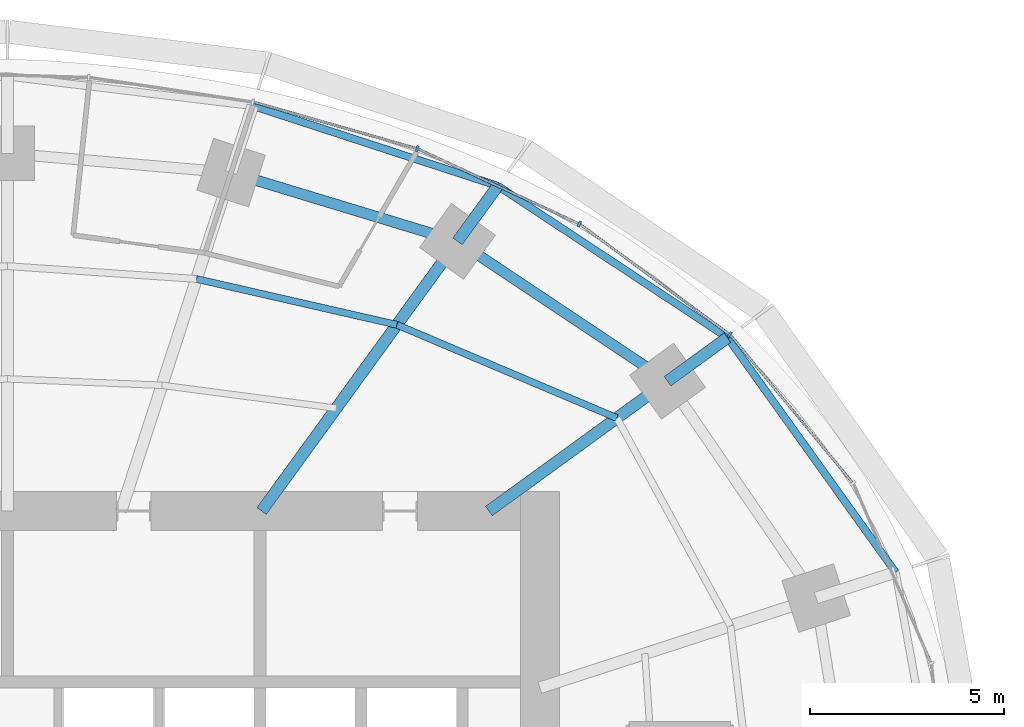
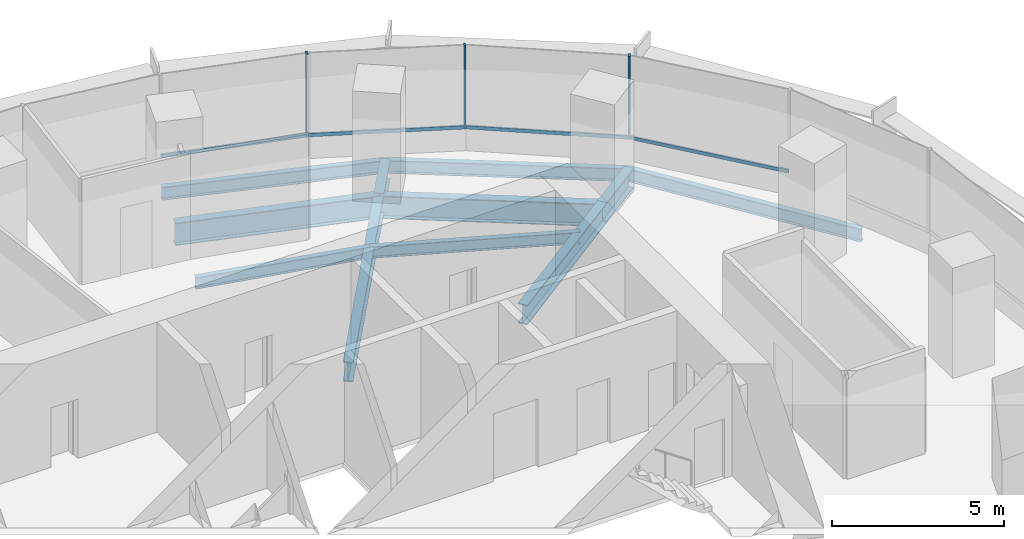
# One storey, part 8 of 15: 11 beams, 7 members, 2 elements without a shape of their own.
"""IFC4 building model written with IfcOpenShell, lengths in metres."""

from ifc_helpers import new_model, si_unit, direction, frame, origin, origin_2d, place, context, subcontext, project, spatial, rectangle, i_section, extrude, material, material_profile, profile_set, type_object, element, aggregate, save


model = new_model("IFC4")

# Units and contexts
model_context = context("Model", 3, precision=1e-05, world=origin(), true_north=direction((0.0, 1.0)))
body_context = subcontext(model_context, "Body", "Model", "MODEL_VIEW")
ifc_project = project(units=[si_unit("LENGTHUNIT", "METRE"), si_unit("AREAUNIT", "SQUARE_METRE"), si_unit("VOLUMEUNIT", "CUBIC_METRE"), si_unit("PLANEANGLEUNIT", "RADIAN"), si_unit("MASSUNIT", "GRAM", prefix="KILO")], contexts=[model_context])

# Site, building, storey
site_placement = place(None, origin())
site = spatial("IfcSite", under=ifc_project, at=site_placement, CompositionType="ELEMENT")
building_placement = place(site_placement, origin())
building = spatial("IfcBuilding", under=site, at=building_placement, Name="Marramba Exchange Tower", CompositionType="ELEMENT")
storey_placement = place(building_placement, frame((0.0, 0.0, 191.60009765625)))
storey = spatial("IfcBuildingStorey", under=building, at=storey_placement, Name="L46", CompositionType="ELEMENT", Elevation=191.60009765625)

# Beams
ifc_material_1 = material(Name="Steel AS/NZS 3679.2 grade 300", Category="steel")
ifc_material_profile_1 = material_profile(ifc_material_1, i_section(OverallWidth=0.300048828125, OverallDepth=0.699951171875, WebThickness=0.010009765625, FlangeThickness=0.031982421875, at=origin_2d()), Name="700WB173")
ifc_profile_set_1 = profile_set([ifc_material_profile_1], Name="Steel AS/NZS 3679.2 grade 300")
beam_type_1 = type_object("IfcBeamType", Name="Cantilever girder 700WB173", PredefinedType="BEAM", material=ifc_profile_set_1)
beam_1_placement = place(storey_placement, frame((16.98583984375, 12.3408203125, -0.510009765625), z_axis=(0.808962750283, 0.587859905636, 0.0), x_axis=(-0.587859905636, 0.808962750283, 0.0)))
element("IfcBeam", 1, at=beam_1_placement, inside=storey, type_object=beam_type_1, Name="Cantilever girder L46 TC03", PredefinedType="BEAM", context=body_context, shape_type="SweptSolid", body=[
    extrude(i_section(OverallWidth=0.300048828125, OverallDepth=0.699951171875, WebThickness=0.010009765625, FlangeThickness=0.031982421875, at=origin_2d()), origin(), (0.0, 0.0, 1.0), 1.9091796875),
])
beam_2_placement = place(storey_placement, frame((11.581298828125, 15.9404296875, -0.510009765625), z_axis=(0.587817766387, 0.808993370504, 0.0), x_axis=(-0.808993370504, 0.587817766387, 0.0)))
element("IfcBeam", 2, at=beam_2_placement, inside=storey, type_object=beam_type_1, Name="Cantilever girder L46 TC04", PredefinedType="BEAM", context=body_context, shape_type="SweptSolid", body=[
    extrude(i_section(OverallWidth=0.300048828125, OverallDepth=0.699951171875, WebThickness=0.010009765625, FlangeThickness=0.031982421875, at=origin_2d()), origin(), (0.0, 0.0, 1.0), 1.763916015625),
])
ifc_material_2 = material(Name="Steel AS/NZS 3679.1 grade 300", Category="steel")
ifc_material_profile_2 = material_profile(ifc_material_2, i_section(OverallWidth=0.177978515625, OverallDepth=0.406005859375, WebThickness=0.0078125, FlangeThickness=0.0126953125, FilletRadius=0.011474609375, at=origin_2d()), Name="410UB59.7")
ifc_profile_set_2 = profile_set([ifc_material_profile_2], Name="Steel AS/NZS 3679.1 grade 300")
beam_type_2 = type_object("IfcBeamType", Name="Floor joist 410UB59.7", PredefinedType="JOIST", material=ifc_profile_set_2)
beam_3_placement = place(storey_placement, frame((15.682373046875, 11.393798828125, -0.363037109375), z_axis=(-0.920674336375, 0.390331610738, 0.0), x_axis=(-0.390331610738, -0.920674336375, 0.0)))
element("IfcBeam", 3, at=beam_3_placement, inside=storey, type_object=beam_type_2, Name="Joist L46 bay 03 row 2", PredefinedType="JOIST", context=body_context, shape_type="SweptSolid", body=[
    extrude(i_section(OverallWidth=0.177978515625, OverallDepth=0.406005859375, WebThickness=0.0078125, FlangeThickness=0.0126953125, FilletRadius=0.011474609375, at=origin_2d()), origin(), (0.0, 0.0, 1.0), 6.1484375),
])
beam_4_placement = place(storey_placement, frame((10.021728515625, 13.793701171875, -0.363037109375), z_axis=(-0.974859652292, 0.222819788916, 0.0), x_axis=(-0.222819788916, -0.974859652292, 0.0)))
element("IfcBeam", 4, at=beam_4_placement, inside=storey, type_object=beam_type_2, Name="Joist L46 bay 04 row 2", PredefinedType="JOIST", context=body_context, shape_type="SweptSolid", body=[
    extrude(i_section(OverallWidth=0.177978515625, OverallDepth=0.406005859375, WebThickness=0.0078125, FlangeThickness=0.0126953125, FilletRadius=0.011474609375, at=origin_2d()), origin(), (0.0, 0.0, 1.0), 5.2900390625),
])

# Curtain wall, members
ifc_material_3 = material(Name="Aluminium framing, bronze anodised", Category="aluminium")
curtain_wall_type = type_object("IfcCurtainWallType", Name="Office ribbon curtain wall", PredefinedType="USERDEFINED", material=ifc_material_3)
curtain_wall_1_placement = place(storey_placement, origin())
curtain_wall_1 = element("IfcCurtainWall", 5, at=curtain_wall_1_placement, inside=storey, type_object=curtain_wall_type, Name="Curtain wall CW4 L46 F01-F05", ObjectType="RIBBON CURTAIN WALL", PredefinedType="USERDEFINED")
ifc_material_4 = material(Name="Aluminium mullion, bronze anodised", Category="aluminium")
ifc_material_profile_3 = material_profile(ifc_material_4, rectangle(XDim=0.159912109375, YDim=0.06005859375, at=origin_2d()), Name="CW4 mullion 60x160")
ifc_profile_set_3 = profile_set([ifc_material_profile_3], Name="Aluminium mullion, bronze anodised")
member_type_1 = type_object("IfcMemberType", Name="Office ribbon curtain wall mullion", PredefinedType="MULLION", material=ifc_profile_set_3)
member_1_placement = place(storey_placement, frame((18.587158203125, 13.53955078125, 0.7998046875), z_axis=(0.0, 0.0, 1.0), x_axis=(-0.593441317494, -0.804877259395, 0.0)))
member_1 = element("IfcMember", 6, at=member_1_placement, type_object=member_type_1, Name="CW4 mullion 1", PredefinedType="MULLION", context=body_context, shape_type="SweptSolid", body=[
    extrude(rectangle(XDim=0.159912109375, YDim=0.06005859375, at=origin_2d()), origin(), (0.0, 0.0, 1.0), 2.940185546875),
])
member_2_placement = place(storey_placement, frame((14.7158203125, 16.386474609375, 0.7998046875), z_axis=(0.0, 0.0, 1.0), x_axis=(-0.422133006189, -0.906533907301, 0.0)))
member_2 = element("IfcMember", 7, at=member_2_placement, type_object=member_type_1, Name="CW4 mullion 1", PredefinedType="MULLION", context=body_context, shape_type="SweptSolid", body=[
    extrude(rectangle(XDim=0.159912109375, YDim=0.06005859375, at=origin_2d()), origin(), (0.0, 0.0, 1.0), 2.940185546875),
])

# Curtain wall, member
curtain_wall_2_placement = place(storey_placement, origin())
curtain_wall_2 = element("IfcCurtainWall", 8, at=curtain_wall_2_placement, inside=storey, type_object=curtain_wall_type, Name="Curtain wall CW4 L46 F06-F10", ObjectType="RIBBON CURTAIN WALL", PredefinedType="USERDEFINED")
member_3_placement = place(storey_placement, frame((10.54541015625, 18.3232421875, 0.7998046875), z_axis=(0.0, 0.0, 1.0), x_axis=(-0.274248164656, -0.961658954195, 0.0)))
member_3 = element("IfcMember", 9, at=member_3_placement, type_object=member_type_1, Name="CW4 mullion 1", PredefinedType="MULLION", context=body_context, shape_type="SweptSolid", body=[
    extrude(rectangle(XDim=0.159912109375, YDim=0.06005859375, at=origin_2d()), origin(), (0.0, 0.0, 1.0), 2.940185546875),
])

# Member
ifc_material_5 = material(Name="Aluminium transom, bronze anodised", Category="aluminium")
ifc_material_profile_4 = material_profile(ifc_material_5, rectangle(XDim=0.06005859375, YDim=0.1201171875, at=origin_2d()), Name="CW4 transom 60x120")
ifc_profile_set_4 = profile_set([ifc_material_profile_4], Name="Aluminium transom, bronze anodised")
member_type_2 = type_object("IfcMemberType", Name="Office ribbon curtain wall transom", PredefinedType="USERDEFINED", material=ifc_profile_set_4)
member_4_placement = place(storey_placement, frame((21.73779296875, 9.74169921875, 0.829833984375), z_axis=(-0.637375191043, 0.770553609973, 0.0), x_axis=(-0.770553609973, -0.637375191043, 0.0)))
member_4 = element("IfcMember", 10, at=member_4_placement, type_object=member_type_2, Name="CW4 sill transom", ObjectType="TRANSOM", PredefinedType="USERDEFINED", context=body_context, shape_type="SweptSolid", body=[
    extrude(rectangle(XDim=0.06005859375, YDim=0.1201171875, at=origin_2d()), origin(), (0.0, 0.0, 1.0), 4.905517578125),
])

member_5_placement = place(storey_placement, frame((18.56298828125, 13.557373046875, 0.829833984375), z_axis=(-0.804874780157, 0.593444680039, 0.0), x_axis=(-0.593444680039, -0.804874780157, 0.0)))
member_5 = element("IfcMember", 11, at=member_5_placement, type_object=member_type_2, Name="CW4 sill transom", ObjectType="TRANSOM", PredefinedType="USERDEFINED", context=body_context, shape_type="SweptSolid", body=[
    extrude(rectangle(XDim=0.06005859375, YDim=0.1201171875, at=origin_2d()), origin(), (0.0, 0.0, 1.0), 4.745849609375),
])

member_6_placement = place(storey_placement, frame((14.688720703125, 16.399169921875, 0.829833984375), z_axis=(-0.906548348139, 0.422101992989, 0.0), x_axis=(-0.422101992989, -0.906548348139, 0.0)))
member_6 = element("IfcMember", 12, at=member_6_placement, type_object=member_type_2, Name="CW4 sill transom", ObjectType="TRANSOM", PredefinedType="USERDEFINED", context=body_context, shape_type="SweptSolid", body=[
    extrude(rectangle(XDim=0.06005859375, YDim=0.1201171875, at=origin_2d()), origin(), (0.0, 0.0, 1.0), 4.53857421875),
])

aggregate(curtain_wall_1, [member_4, member_1, member_5, member_2, member_6])

member_7_placement = place(storey_placement, frame((10.5166015625, 18.33154296875, 0.829833984375), z_axis=(-0.961661807825, 0.274238158125, 0.0), x_axis=(-0.274238158125, -0.961661807825, 0.0)))
member_7 = element("IfcMember", 13, at=member_7_placement, type_object=member_type_2, Name="CW4 sill transom", ObjectType="TRANSOM", PredefinedType="USERDEFINED", context=body_context, shape_type="SweptSolid", body=[
    extrude(rectangle(XDim=0.06005859375, YDim=0.1201171875, at=origin_2d()), origin(), (0.0, 0.0, 1.0), 4.340087890625),
])

aggregate(curtain_wall_2, [member_3, member_7])

# Beams
ifc_material_profile_5 = material_profile(ifc_material_1, i_section(OverallWidth=0.300048828125, OverallDepth=0.699951171875, WebThickness=0.010009765625, FlangeThickness=0.031982421875, at=origin_2d()), Name="700WB173")
ifc_profile_set_5 = profile_set([ifc_material_profile_5], Name="Steel AS/NZS 3679.2 grade 300")
beam_type_3 = type_object("IfcBeamType", Name="Radial girder 700WB173", PredefinedType="BEAM", material=ifc_profile_set_5)
beam_5_placement = place(storey_placement, frame((12.387451171875, 9.0, -0.510009765625), z_axis=(0.809025746925, 0.587773205252, 0.0), x_axis=(-0.587773205252, 0.809025746925, 0.0)))
element("IfcBeam", 14, at=beam_5_placement, inside=storey, type_object=beam_type_3, Name="Radial girder L46 TC03", PredefinedType="BEAM", context=body_context, shape_type="SweptSolid", body=[
    extrude(i_section(OverallWidth=0.300048828125, OverallDepth=0.699951171875, WebThickness=0.010009765625, FlangeThickness=0.031982421875, at=origin_2d()), origin(), (0.0, 0.0, 1.0), 5.683837890625),
])
beam_6_placement = place(storey_placement, frame((6.538818359375, 9.0, -0.510009765625), z_axis=(0.587782439969, 0.80901903764, 0.0), x_axis=(-0.80901903764, 0.587782439969, 0.0)))
element("IfcBeam", 15, at=beam_6_placement, inside=storey, type_object=beam_type_3, Name="Radial girder L46 TC04", PredefinedType="BEAM", context=body_context, shape_type="SweptSolid", body=[
    extrude(i_section(OverallWidth=0.300048828125, OverallDepth=0.699951171875, WebThickness=0.010009765625, FlangeThickness=0.031982421875, at=origin_2d()), origin(), (0.0, 0.0, 1.0), 8.578857421875),
])
ifc_material_profile_6 = material_profile(ifc_material_1, i_section(OverallWidth=0.27490234375, OverallDepth=0.800048828125, WebThickness=0.010009765625, FlangeThickness=0.02490234375, at=origin_2d()), Name="800WB168")
ifc_profile_set_6 = profile_set([ifc_material_profile_6], Name="Steel AS/NZS 3679.2 grade 300")
beam_type_4 = type_object("IfcBeamType", Name="Ring beam 800WB168", PredefinedType="SPANDREL", material=ifc_profile_set_6)
beam_7_placement = place(storey_placement, frame((16.98583984375, 12.3408203125, -0.56005859375), z_axis=(-0.832293151443, 0.554335737673, 0.0), x_axis=(-0.554335737673, -0.832293151443, 0.0)))
element("IfcBeam", 16, at=beam_7_placement, inside=storey, type_object=beam_type_4, Name="Ring beam L46 TC03-TC04", PredefinedType="SPANDREL", context=body_context, shape_type="SweptSolid", body=[
    extrude(i_section(OverallWidth=0.27490234375, OverallDepth=0.800048828125, WebThickness=0.010009765625, FlangeThickness=0.02490234375, at=origin_2d()), origin(), (0.0, 0.0, 1.0), 6.49365234375),
])
beam_8_placement = place(storey_placement, frame((11.581298828125, 15.9404296875, -0.56005859375), z_axis=(-0.956924542524, 0.290336735387, 0.0), x_axis=(-0.290336735387, -0.956924542524, 0.0)))
element("IfcBeam", 17, at=beam_8_placement, inside=storey, type_object=beam_type_4, Name="Ring beam L46 TC04-TC05", PredefinedType="SPANDREL", context=body_context, shape_type="SweptSolid", body=[
    extrude(i_section(OverallWidth=0.27490234375, OverallDepth=0.800048828125, WebThickness=0.010009765625, FlangeThickness=0.02490234375, at=origin_2d()), origin(), (0.0, 0.0, 1.0), 6.089599609375),
])
ifc_material_profile_7 = material_profile(ifc_material_2, i_section(OverallWidth=0.19091796875, OverallDepth=0.4599609375, WebThickness=0.010009765625, FlangeThickness=0.01611328125, FilletRadius=0.011474609375, at=origin_2d()), Name="460UB82.1")
ifc_profile_set_7 = profile_set([ifc_material_profile_7], Name="Steel AS/NZS 3679.1 grade 300")
beam_type_5 = type_object("IfcBeamType", Name="Slab edge beam 460UB82.1", PredefinedType="SPANDREL", material=ifc_profile_set_7)
beam_9_placement = place(storey_placement, frame((22.853515625, 7.425537109375, -0.39013671875), z_axis=(-0.582189457885, 0.813053156398, 0.0), x_axis=(-0.813053156398, -0.582189457885, 0.0)))
element("IfcBeam", 18, at=beam_9_placement, inside=storey, type_object=beam_type_5, Name="Slab edge beam L46 TC02-TC03", PredefinedType="SPANDREL", context=body_context, shape_type="SweptSolid", body=[
    extrude(i_section(OverallWidth=0.19091796875, OverallDepth=0.4599609375, WebThickness=0.010009765625, FlangeThickness=0.01611328125, FilletRadius=0.011474609375, at=origin_2d()), origin(), (0.0, 0.0, 1.0), 7.42578125),
])
beam_10_placement = place(storey_placement, frame((18.5302734375, 13.463134765625, -0.39013671875), z_axis=(-0.834459826117, 0.551068778463, 0.0), x_axis=(-0.551068778463, -0.834459826117, 0.0)))
element("IfcBeam", 19, at=beam_10_placement, inside=storey, type_object=beam_type_5, Name="Slab edge beam L46 TC03-TC04", PredefinedType="SPANDREL", context=body_context, shape_type="SweptSolid", body=[
    extrude(i_section(OverallWidth=0.19091796875, OverallDepth=0.4599609375, WebThickness=0.010009765625, FlangeThickness=0.01611328125, FilletRadius=0.011474609375, at=origin_2d()), origin(), (0.0, 0.0, 1.0), 7.0849609375),
])
beam_11_placement = place(storey_placement, frame((12.6181640625, 17.367431640625, -0.39013671875), z_axis=(-0.950608559101, 0.310392279809, 0.0), x_axis=(-0.310392279809, -0.950608559101, 0.0)))
element("IfcBeam", 20, at=beam_11_placement, inside=storey, type_object=beam_type_5, Name="Slab edge beam L46 TC04-TC05", PredefinedType="SPANDREL", context=body_context, shape_type="SweptSolid", body=[
    extrude(i_section(OverallWidth=0.19091796875, OverallDepth=0.4599609375, WebThickness=0.010009765625, FlangeThickness=0.01611328125, FilletRadius=0.011474609375, at=origin_2d()), origin(), (0.0, 0.0, 1.0), 6.6337890625),
])

save(model, "model.ifc")
